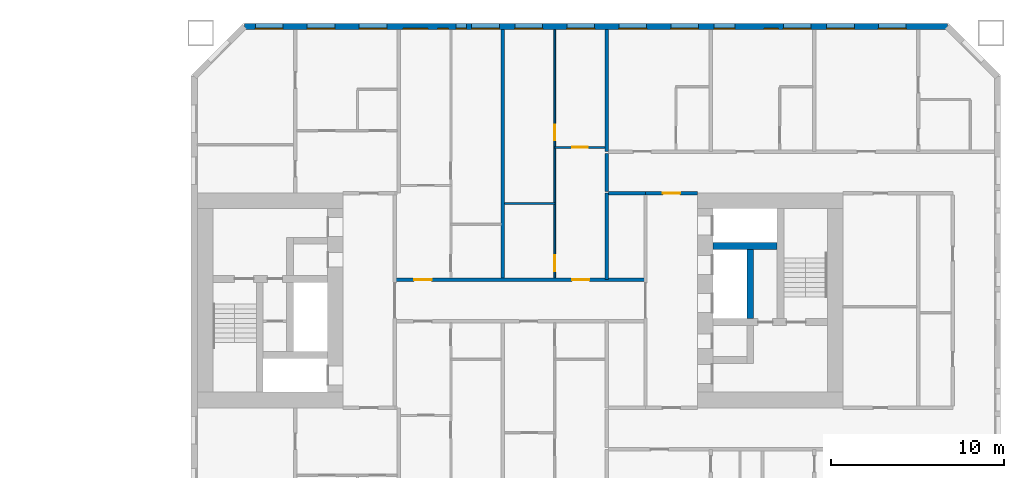
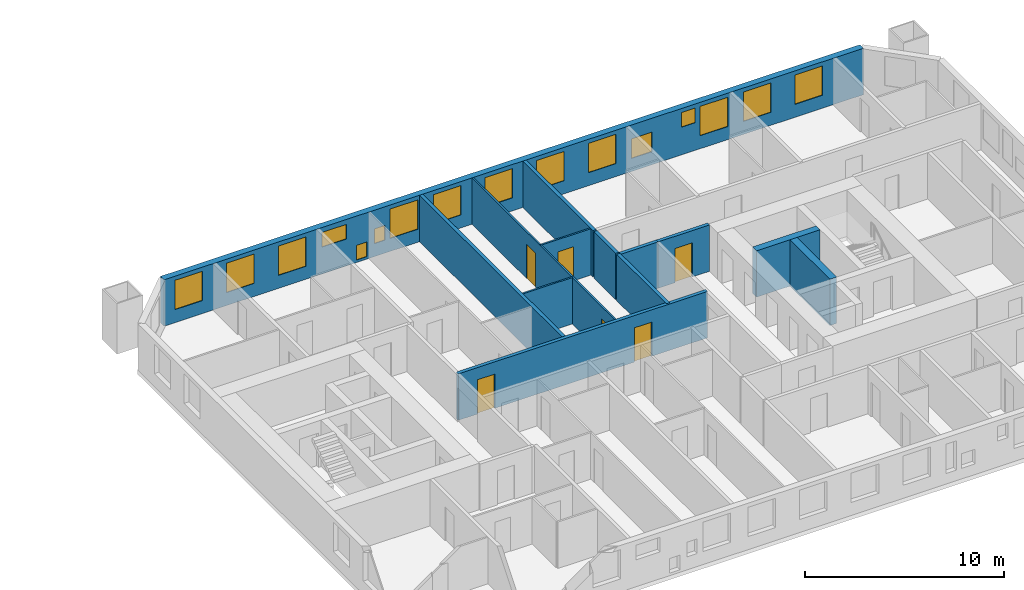
# One storey, part 14 of 17: 16 windows, 13 walls, 6 doors, 22 openings.
"""IFC4 building model written with IfcOpenShell, lengths in metres."""

from ifc_helpers import new_model, si_unit, direction, frame, frame_2d, origin, place, context, subcontext, project, spatial, rectangle, extrude, material, layer, layer_set, type_object, element, fill, save


model = new_model("IFC4")

# Units and contexts
model_context = context("Model", 3, precision=1e-05, world=origin(), true_north=direction((0.0, 1.0)))
body_context = subcontext(model_context, "Body", "Model", "MODEL_VIEW")
ifc_project = project(units=[si_unit("LENGTHUNIT", "METRE"), si_unit("AREAUNIT", "SQUARE_METRE"), si_unit("VOLUMEUNIT", "CUBIC_METRE"), si_unit("PLANEANGLEUNIT", "RADIAN"), si_unit("MASSUNIT", "GRAM", prefix="KILO")], contexts=[model_context])

# Site, building, storey
site_placement = place(None, origin())
site = spatial("IfcSite", under=ifc_project, at=site_placement, CompositionType="ELEMENT")
building_placement = place(site_placement, origin())
building = spatial("IfcBuilding", under=site, at=building_placement, Name="Tuart Gate Housing", CompositionType="ELEMENT")
storey_placement = place(building_placement, frame((0.0, 0.0, 28.800048828125)))
storey = spatial("IfcBuildingStorey", under=building, at=storey_placement, Name="L07", CompositionType="ELEMENT", Elevation=28.800048828125)

# Wall, openings, windows
ifc_material_1 = material(Name="Brick", Category="masonry")
ifc_layer_1 = layer(ifc_material_1, 0.360107421875)
ifc_layer_set_1 = layer_set([ifc_layer_1], Name="Brick pier and spandrel wall 360")
wall_type_1 = type_object("IfcWallType", Name="Brick pier and spandrel wall 360", PredefinedType="STANDARD", material=ifc_layer_set_1)
wall_1_placement = place(storey_placement, frame((174.67529296875, 85.820068359375, 0.0), z_axis=(0.0, 0.0, 1.0), x_axis=(-1.0, 0.0, 0.0)))
wall_1 = element("IfcWall", 1, at=wall_1_placement, inside=storey, type_object=wall_type_1, Name="External wall B-N L07", PredefinedType="STANDARD", context=body_context, shape_type="SweptSolid", body=[
    extrude(rectangle(XDim=40.600830078125, YDim=0.360107421875, at=frame_2d((20.30029296875, 0.0))), origin(), (0.0, 0.0, 1.0), 2.849853515625),
])
opening_1_placement = place(wall_1_placement, frame((2.37548828125, 0.0, 0.800048828125)))
opening_1 = element("IfcOpeningElement", 2, at=opening_1_placement, cuts=wall_1, Name="Opening W1", PredefinedType="OPENING", context=body_context, shape_type="SweptSolid", body=[
    extrude(rectangle(XDim=1.60009765625, YDim=1.800048828125, at=frame_2d((0.800048828125, 0.89990234375))), frame((0.0, 0.18994140625, 0.0), z_axis=(0.0, -1.0, 0.0), x_axis=(1.0, 0.0, 0.0)), (0.0, 0.0, 1.0), 0.380126953125),
])
opening_2_placement = place(wall_1_placement, frame((5.37548828125, 0.0, 0.800048828125)))
opening_2 = element("IfcOpeningElement", 3, at=opening_2_placement, cuts=wall_1, Name="Opening W1", PredefinedType="OPENING", context=body_context, shape_type="SweptSolid", body=[
    extrude(rectangle(XDim=1.60009765625, YDim=1.800048828125, at=frame_2d((0.800048828125, 0.89990234375))), frame((0.0, 0.18994140625, 0.0), z_axis=(0.0, -1.0, 0.0), x_axis=(1.0, 0.0, 0.0)), (0.0, 0.0, 1.0), 0.380126953125),
])
opening_3_placement = place(wall_1_placement, frame((7.87548828125, 0.0, 0.800048828125)))
opening_3 = element("IfcOpeningElement", 4, at=opening_3_placement, cuts=wall_1, Name="Opening W1", PredefinedType="OPENING", context=body_context, shape_type="SweptSolid", body=[
    extrude(rectangle(XDim=1.60009765625, YDim=1.800048828125, at=frame_2d((0.800048828125, 0.89990234375))), frame((0.0, 0.18994140625, 0.0), z_axis=(0.0, -1.0, 0.0), x_axis=(1.0, 0.0, 0.0)), (0.0, 0.0, 1.0), 0.380126953125),
])
opening_4_placement = place(wall_1_placement, frame((9.775390625, 0.0, 1.699951171875)))
opening_4 = element("IfcOpeningElement", 5, at=opening_4_placement, cuts=wall_1, Name="Opening W1V", PredefinedType="OPENING", context=body_context, shape_type="SweptSolid", body=[
    extrude(rectangle(XDim=0.800048828125, YDim=0.89990234375, at=frame_2d((0.39990234375, 0.449951171875))), frame((0.0, 0.18994140625, 0.0), z_axis=(0.0, -1.0, 0.0), x_axis=(1.0, 0.0, 0.0)), (0.0, 0.0, 1.0), 0.380126953125),
])
opening_5_placement = place(wall_1_placement, frame((14.37548828125, 0.0, 0.800048828125)))
opening_5 = element("IfcOpeningElement", 6, at=opening_5_placement, cuts=wall_1, Name="Opening W1", PredefinedType="OPENING", context=body_context, shape_type="SweptSolid", body=[
    extrude(rectangle(XDim=1.60009765625, YDim=1.800048828125, at=frame_2d((0.800048828125, 0.89990234375))), frame((0.0, 0.18994140625, 0.0), z_axis=(0.0, -1.0, 0.0), x_axis=(1.0, 0.0, 0.0)), (0.0, 0.0, 1.0), 0.380126953125),
])
opening_6_placement = place(wall_1_placement, frame((17.37548828125, 0.0, 0.800048828125)))
opening_6 = element("IfcOpeningElement", 7, at=opening_6_placement, cuts=wall_1, Name="Opening W1", PredefinedType="OPENING", context=body_context, shape_type="SweptSolid", body=[
    extrude(rectangle(XDim=1.60009765625, YDim=1.800048828125, at=frame_2d((0.800048828125, 0.89990234375))), frame((0.0, 0.18994140625, 0.0), z_axis=(0.0, -1.0, 0.0), x_axis=(1.0, 0.0, 0.0)), (0.0, 0.0, 1.0), 0.380126953125),
])
opening_7_placement = place(wall_1_placement, frame((20.37548828125, 0.0, 0.800048828125)))
opening_7 = element("IfcOpeningElement", 8, at=opening_7_placement, cuts=wall_1, Name="Opening W1", PredefinedType="OPENING", context=body_context, shape_type="SweptSolid", body=[
    extrude(rectangle(XDim=1.60009765625, YDim=1.800048828125, at=frame_2d((0.800048828125, 0.89990234375))), frame((0.0, 0.18994140625, 0.0), z_axis=(0.0, -1.0, 0.0), x_axis=(1.0, 0.0, 0.0)), (0.0, 0.0, 1.0), 0.380126953125),
])
opening_8_placement = place(wall_1_placement, frame((23.37548828125, 0.0, 0.800048828125)))
opening_8 = element("IfcOpeningElement", 9, at=opening_8_placement, cuts=wall_1, Name="Opening W1", PredefinedType="OPENING", context=body_context, shape_type="SweptSolid", body=[
    extrude(rectangle(XDim=1.60009765625, YDim=1.800048828125, at=frame_2d((0.800048828125, 0.89990234375))), frame((0.0, 0.18994140625, 0.0), z_axis=(0.0, -1.0, 0.0), x_axis=(1.0, 0.0, 0.0)), (0.0, 0.0, 1.0), 0.380126953125),
])
opening_9_placement = place(wall_1_placement, frame((25.87548828125, 0.0, 0.800048828125)))
opening_9 = element("IfcOpeningElement", 10, at=opening_9_placement, cuts=wall_1, Name="Opening W1", PredefinedType="OPENING", context=body_context, shape_type="SweptSolid", body=[
    extrude(rectangle(XDim=1.60009765625, YDim=1.800048828125, at=frame_2d((0.800048828125, 0.89990234375))), frame((0.0, 0.18994140625, 0.0), z_axis=(0.0, -1.0, 0.0), x_axis=(1.0, 0.0, 0.0)), (0.0, 0.0, 1.0), 0.380126953125),
])
opening_10_placement = place(wall_1_placement, frame((28.825439453125, 0.0, 0.14990234375)))
opening_10 = element("IfcOpeningElement", 11, at=opening_10_placement, cuts=wall_1, Name="Opening W1W", PredefinedType="OPENING", context=body_context, shape_type="SweptSolid", body=[
    extrude(rectangle(XDim=0.60009765625, YDim=0.89990234375, at=frame_2d((0.300048828125, 0.449951171875))), frame((0.0, 0.18994140625, 0.0), z_axis=(0.0, -1.0, 0.0), x_axis=(1.0, 0.0, 0.0)), (0.0, 0.0, 1.0), 0.380126953125),
])
opening_11_placement = place(wall_1_placement, frame((32.37548828125, 0.0, 0.800048828125)))
opening_11 = element("IfcOpeningElement", 12, at=opening_11_placement, cuts=wall_1, Name="Opening W1", PredefinedType="OPENING", context=body_context, shape_type="SweptSolid", body=[
    extrude(rectangle(XDim=1.60009765625, YDim=1.800048828125, at=frame_2d((0.800048828125, 0.89990234375))), frame((0.0, 0.18994140625, 0.0), z_axis=(0.0, -1.0, 0.0), x_axis=(1.0, 0.0, 0.0)), (0.0, 0.0, 1.0), 0.380126953125),
])
opening_12_placement = place(wall_1_placement, frame((35.37548828125, 0.0, 0.800048828125)))
opening_12 = element("IfcOpeningElement", 13, at=opening_12_placement, cuts=wall_1, Name="Opening W1", PredefinedType="OPENING", context=body_context, shape_type="SweptSolid", body=[
    extrude(rectangle(XDim=1.60009765625, YDim=1.800048828125, at=frame_2d((0.800048828125, 0.89990234375))), frame((0.0, 0.18994140625, 0.0), z_axis=(0.0, -1.0, 0.0), x_axis=(1.0, 0.0, 0.0)), (0.0, 0.0, 1.0), 0.380126953125),
])
opening_13_placement = place(wall_1_placement, frame((38.37548828125, 0.0, 0.800048828125)))
opening_13 = element("IfcOpeningElement", 14, at=opening_13_placement, cuts=wall_1, Name="Opening W1", PredefinedType="OPENING", context=body_context, shape_type="SweptSolid", body=[
    extrude(rectangle(XDim=1.60009765625, YDim=1.800048828125, at=frame_2d((0.800048828125, 0.89990234375))), frame((0.0, 0.18994140625, 0.0), z_axis=(0.0, -1.0, 0.0), x_axis=(1.0, 0.0, 0.0)), (0.0, 0.0, 1.0), 0.380126953125),
])
opening_14_placement = place(wall_1_placement, frame((12.275390625, 0.0, 0.800048828125)))
opening_14 = element("IfcOpeningElement", 15, at=opening_14_placement, cuts=wall_1, Name="Opening W1N", PredefinedType="OPENING", context=body_context, shape_type="SweptSolid", body=[
    extrude(rectangle(XDim=1.199951171875, YDim=1.199951171875, at=frame_2d((0.60009765625, 0.60009765625))), frame((0.0, 0.18994140625, 0.0), z_axis=(0.0, -1.0, 0.0), x_axis=(1.0, 0.0, 0.0)), (0.0, 0.0, 1.0), 0.380126953125),
])
opening_15_placement = place(wall_1_placement, frame((27.775390625, 0.0, 0.800048828125)))
opening_15 = element("IfcOpeningElement", 16, at=opening_15_placement, cuts=wall_1, Name="Opening W1W", PredefinedType="OPENING", context=body_context, shape_type="SweptSolid", body=[
    extrude(rectangle(XDim=0.60009765625, YDim=0.89990234375, at=frame_2d((0.300048828125, 0.449951171875))), frame((0.0, 0.18994140625, 0.0), z_axis=(0.0, -1.0, 0.0), x_axis=(1.0, 0.0, 0.0)), (0.0, 0.0, 1.0), 0.380126953125),
])
opening_16_placement = place(wall_1_placement, frame((30.025390625, 0.0, 1.64990234375)))
opening_16 = element("IfcOpeningElement", 17, at=opening_16_placement, cuts=wall_1, Name="Opening W1S", PredefinedType="OPENING", context=body_context, shape_type="SweptSolid", body=[
    extrude(rectangle(XDim=1.39990234375, YDim=0.89990234375, at=frame_2d((0.699951171875, 0.449951171875))), frame((0.0, 0.18994140625, 0.0), z_axis=(0.0, -1.0, 0.0), x_axis=(1.0, 0.0, 0.0)), (0.0, 0.0, 1.0), 0.380126953125),
])
ifc_material_2 = material(Name="Aluminium frame with clear glass", Category="aluminium")
window_type_1 = type_object("IfcWindowType", Name="Punched window 1200 x 1200", PartitioningType="SINGLE_PANEL", PredefinedType="WINDOW", material=ifc_material_2)
window_1_placement = place(opening_14_placement, origin())
window_1 = element("IfcWindow", 18, at=window_1_placement, inside=storey, type_object=window_type_1, Name="Window W1N", OverallHeight=1.199951171875, OverallWidth=1.199951171875, PartitioningType="SINGLE_PANEL", PredefinedType="WINDOW", context=body_context, shape_type="SweptSolid", body=[
    extrude(rectangle(XDim=1.199951171875, YDim=1.199951171875, at=frame_2d((0.60009765625, 0.60009765625))), frame((0.0, 0.150146484375, 0.0), z_axis=(0.0, -1.0, 0.0), x_axis=(1.0, 0.0, 0.0)), (0.0, 0.0, 1.0), 0.06005859375),
])
fill(opening_14, window_1)
ifc_material_3 = material(Name="Aluminium frame with clear glass", Category="aluminium")
window_type_2 = type_object("IfcWindowType", Name="Punched window 1400 x 900", PartitioningType="SINGLE_PANEL", PredefinedType="WINDOW", material=ifc_material_3)
window_2_placement = place(opening_16_placement, origin())
window_2 = element("IfcWindow", 19, at=window_2_placement, inside=storey, type_object=window_type_2, Name="Window W1S", OverallHeight=0.89990234375, OverallWidth=1.39990234375, PartitioningType="SINGLE_PANEL", PredefinedType="WINDOW", context=body_context, shape_type="SweptSolid", body=[
    extrude(rectangle(XDim=1.39990234375, YDim=0.89990234375, at=frame_2d((0.699951171875, 0.449951171875))), frame((0.0, 0.150146484375, 0.0), z_axis=(0.0, -1.0, 0.0), x_axis=(1.0, 0.0, 0.0)), (0.0, 0.0, 1.0), 0.06005859375),
])
fill(opening_16, window_2)
ifc_material_4 = material(Name="Aluminium frame with clear glass", Category="aluminium")
window_type_3 = type_object("IfcWindowType", Name="Punched window 1600 x 1800", PartitioningType="SINGLE_PANEL", PredefinedType="WINDOW", material=ifc_material_4)
window_3_placement = place(opening_1_placement, origin())
window_3 = element("IfcWindow", 20, at=window_3_placement, inside=storey, type_object=window_type_3, Name="Window W1", OverallHeight=1.800048828125, OverallWidth=1.60009765625, PartitioningType="SINGLE_PANEL", PredefinedType="WINDOW", context=body_context, shape_type="SweptSolid", body=[
    extrude(rectangle(XDim=1.60009765625, YDim=1.800048828125, at=frame_2d((0.800048828125, 0.89990234375))), frame((0.0, 0.150146484375, 0.0), z_axis=(0.0, -1.0, 0.0), x_axis=(1.0, 0.0, 0.0)), (0.0, 0.0, 1.0), 0.06005859375),
])
fill(opening_1, window_3)
window_4_placement = place(opening_2_placement, origin())
window_4 = element("IfcWindow", 21, at=window_4_placement, inside=storey, type_object=window_type_3, Name="Window W1", OverallHeight=1.800048828125, OverallWidth=1.60009765625, PartitioningType="SINGLE_PANEL", PredefinedType="WINDOW", context=body_context, shape_type="SweptSolid", body=[
    extrude(rectangle(XDim=1.60009765625, YDim=1.800048828125, at=frame_2d((0.800048828125, 0.89990234375))), frame((0.0, 0.150146484375, 0.0), z_axis=(0.0, -1.0, 0.0), x_axis=(1.0, 0.0, 0.0)), (0.0, 0.0, 1.0), 0.06005859375),
])
fill(opening_2, window_4)
window_5_placement = place(opening_3_placement, origin())
window_5 = element("IfcWindow", 22, at=window_5_placement, inside=storey, type_object=window_type_3, Name="Window W1", OverallHeight=1.800048828125, OverallWidth=1.60009765625, PartitioningType="SINGLE_PANEL", PredefinedType="WINDOW", context=body_context, shape_type="SweptSolid", body=[
    extrude(rectangle(XDim=1.60009765625, YDim=1.800048828125, at=frame_2d((0.800048828125, 0.89990234375))), frame((0.0, 0.150146484375, 0.0), z_axis=(0.0, -1.0, 0.0), x_axis=(1.0, 0.0, 0.0)), (0.0, 0.0, 1.0), 0.06005859375),
])
fill(opening_3, window_5)
window_6_placement = place(opening_5_placement, origin())
window_6 = element("IfcWindow", 23, at=window_6_placement, inside=storey, type_object=window_type_3, Name="Window W1", OverallHeight=1.800048828125, OverallWidth=1.60009765625, PartitioningType="SINGLE_PANEL", PredefinedType="WINDOW", context=body_context, shape_type="SweptSolid", body=[
    extrude(rectangle(XDim=1.60009765625, YDim=1.800048828125, at=frame_2d((0.800048828125, 0.89990234375))), frame((0.0, 0.150146484375, 0.0), z_axis=(0.0, -1.0, 0.0), x_axis=(1.0, 0.0, 0.0)), (0.0, 0.0, 1.0), 0.06005859375),
])
fill(opening_5, window_6)
window_7_placement = place(opening_6_placement, origin())
window_7 = element("IfcWindow", 24, at=window_7_placement, inside=storey, type_object=window_type_3, Name="Window W1", OverallHeight=1.800048828125, OverallWidth=1.60009765625, PartitioningType="SINGLE_PANEL", PredefinedType="WINDOW", context=body_context, shape_type="SweptSolid", body=[
    extrude(rectangle(XDim=1.60009765625, YDim=1.800048828125, at=frame_2d((0.800048828125, 0.89990234375))), frame((0.0, 0.150146484375, 0.0), z_axis=(0.0, -1.0, 0.0), x_axis=(1.0, 0.0, 0.0)), (0.0, 0.0, 1.0), 0.06005859375),
])
fill(opening_6, window_7)
window_8_placement = place(opening_7_placement, origin())
window_8 = element("IfcWindow", 25, at=window_8_placement, inside=storey, type_object=window_type_3, Name="Window W1", OverallHeight=1.800048828125, OverallWidth=1.60009765625, PartitioningType="SINGLE_PANEL", PredefinedType="WINDOW", context=body_context, shape_type="SweptSolid", body=[
    extrude(rectangle(XDim=1.60009765625, YDim=1.800048828125, at=frame_2d((0.800048828125, 0.89990234375))), frame((0.0, 0.150146484375, 0.0), z_axis=(0.0, -1.0, 0.0), x_axis=(1.0, 0.0, 0.0)), (0.0, 0.0, 1.0), 0.06005859375),
])
fill(opening_7, window_8)
window_9_placement = place(opening_8_placement, origin())
window_9 = element("IfcWindow", 26, at=window_9_placement, inside=storey, type_object=window_type_3, Name="Window W1", OverallHeight=1.800048828125, OverallWidth=1.60009765625, PartitioningType="SINGLE_PANEL", PredefinedType="WINDOW", context=body_context, shape_type="SweptSolid", body=[
    extrude(rectangle(XDim=1.60009765625, YDim=1.800048828125, at=frame_2d((0.800048828125, 0.89990234375))), frame((0.0, 0.150146484375, 0.0), z_axis=(0.0, -1.0, 0.0), x_axis=(1.0, 0.0, 0.0)), (0.0, 0.0, 1.0), 0.06005859375),
])
fill(opening_8, window_9)
window_10_placement = place(opening_9_placement, origin())
window_10 = element("IfcWindow", 27, at=window_10_placement, inside=storey, type_object=window_type_3, Name="Window W1", OverallHeight=1.800048828125, OverallWidth=1.60009765625, PartitioningType="SINGLE_PANEL", PredefinedType="WINDOW", context=body_context, shape_type="SweptSolid", body=[
    extrude(rectangle(XDim=1.60009765625, YDim=1.800048828125, at=frame_2d((0.800048828125, 0.89990234375))), frame((0.0, 0.150146484375, 0.0), z_axis=(0.0, -1.0, 0.0), x_axis=(1.0, 0.0, 0.0)), (0.0, 0.0, 1.0), 0.06005859375),
])
fill(opening_9, window_10)
window_11_placement = place(opening_11_placement, origin())
window_11 = element("IfcWindow", 28, at=window_11_placement, inside=storey, type_object=window_type_3, Name="Window W1", OverallHeight=1.800048828125, OverallWidth=1.60009765625, PartitioningType="SINGLE_PANEL", PredefinedType="WINDOW", context=body_context, shape_type="SweptSolid", body=[
    extrude(rectangle(XDim=1.60009765625, YDim=1.800048828125, at=frame_2d((0.800048828125, 0.89990234375))), frame((0.0, 0.150146484375, 0.0), z_axis=(0.0, -1.0, 0.0), x_axis=(1.0, 0.0, 0.0)), (0.0, 0.0, 1.0), 0.06005859375),
])
fill(opening_11, window_11)
window_12_placement = place(opening_12_placement, origin())
window_12 = element("IfcWindow", 29, at=window_12_placement, inside=storey, type_object=window_type_3, Name="Window W1", OverallHeight=1.800048828125, OverallWidth=1.60009765625, PartitioningType="SINGLE_PANEL", PredefinedType="WINDOW", context=body_context, shape_type="SweptSolid", body=[
    extrude(rectangle(XDim=1.60009765625, YDim=1.800048828125, at=frame_2d((0.800048828125, 0.89990234375))), frame((0.0, 0.150146484375, 0.0), z_axis=(0.0, -1.0, 0.0), x_axis=(1.0, 0.0, 0.0)), (0.0, 0.0, 1.0), 0.06005859375),
])
fill(opening_12, window_12)
window_13_placement = place(opening_13_placement, origin())
window_13 = element("IfcWindow", 30, at=window_13_placement, inside=storey, type_object=window_type_3, Name="Window W1", OverallHeight=1.800048828125, OverallWidth=1.60009765625, PartitioningType="SINGLE_PANEL", PredefinedType="WINDOW", context=body_context, shape_type="SweptSolid", body=[
    extrude(rectangle(XDim=1.60009765625, YDim=1.800048828125, at=frame_2d((0.800048828125, 0.89990234375))), frame((0.0, 0.150146484375, 0.0), z_axis=(0.0, -1.0, 0.0), x_axis=(1.0, 0.0, 0.0)), (0.0, 0.0, 1.0), 0.06005859375),
])
fill(opening_13, window_13)
ifc_material_5 = material(Name="Aluminium frame with clear glass", Category="aluminium")
window_type_4 = type_object("IfcWindowType", Name="Punched window 600 x 900", PartitioningType="SINGLE_PANEL", PredefinedType="WINDOW", material=ifc_material_5)
window_14_placement = place(opening_10_placement, origin())
window_14 = element("IfcWindow", 31, at=window_14_placement, inside=storey, type_object=window_type_4, Name="Window W1W", OverallHeight=0.89990234375, OverallWidth=0.60009765625, PartitioningType="SINGLE_PANEL", PredefinedType="WINDOW", context=body_context, shape_type="SweptSolid", body=[
    extrude(rectangle(XDim=0.60009765625, YDim=0.89990234375, at=frame_2d((0.300048828125, 0.449951171875))), frame((0.0, 0.150146484375, 0.0), z_axis=(0.0, -1.0, 0.0), x_axis=(1.0, 0.0, 0.0)), (0.0, 0.0, 1.0), 0.06005859375),
])
fill(opening_10, window_14)
window_15_placement = place(opening_15_placement, origin())
window_15 = element("IfcWindow", 32, at=window_15_placement, inside=storey, type_object=window_type_4, Name="Window W1W", OverallHeight=0.89990234375, OverallWidth=0.60009765625, PartitioningType="SINGLE_PANEL", PredefinedType="WINDOW", context=body_context, shape_type="SweptSolid", body=[
    extrude(rectangle(XDim=0.60009765625, YDim=0.89990234375, at=frame_2d((0.300048828125, 0.449951171875))), frame((0.0, 0.150146484375, 0.0), z_axis=(0.0, -1.0, 0.0), x_axis=(1.0, 0.0, 0.0)), (0.0, 0.0, 1.0), 0.06005859375),
])
fill(opening_15, window_15)
ifc_material_6 = material(Name="Aluminium frame with clear glass", Category="aluminium")
window_type_5 = type_object("IfcWindowType", Name="Punched window 800 x 900", PartitioningType="SINGLE_PANEL", PredefinedType="WINDOW", material=ifc_material_6)
window_16_placement = place(opening_4_placement, origin())
window_16 = element("IfcWindow", 33, at=window_16_placement, inside=storey, type_object=window_type_5, Name="Window W1V", OverallHeight=0.89990234375, OverallWidth=0.800048828125, PartitioningType="SINGLE_PANEL", PredefinedType="WINDOW", context=body_context, shape_type="SweptSolid", body=[
    extrude(rectangle(XDim=0.800048828125, YDim=0.89990234375, at=frame_2d((0.39990234375, 0.449951171875))), frame((0.0, 0.150146484375, 0.0), z_axis=(0.0, -1.0, 0.0), x_axis=(1.0, 0.0, 0.0)), (0.0, 0.0, 1.0), 0.06005859375),
])
fill(opening_4, window_16)

# Walls
ifc_material_7 = material(Name="Concrete C60", Category="concrete")
ifc_layer_2 = layer(ifc_material_7, 0.39990234375)
ifc_layer_set_2 = layer_set([ifc_layer_2], Name="Core wall 400 C60")
wall_type_2 = type_object("IfcWallType", Name="Core wall 400 C60", PredefinedType="SHEAR", material=ifc_layer_set_2)
wall_2_placement = place(storey_placement, frame((161.139892578125, 73.14990234375, 0.0), z_axis=(0.0, 0.0, 1.0), x_axis=(1.0, 0.0, 0.0)))
element("IfcWall", 34, at=wall_2_placement, inside=storey, type_object=wall_type_2, Name="Core wall BK.1", PredefinedType="SHEAR", context=body_context, shape_type="SweptSolid", body=[
    extrude(rectangle(XDim=3.7001953125, YDim=0.39990234375, at=frame_2d((1.85009765625, 0.0))), origin(), (0.0, 0.0, 1.0), 2.849853515625),
])
wall_3_placement = place(storey_placement, frame((163.2900390625, 72.949951171875, 0.0), z_axis=(0.0, 0.0, 1.0), x_axis=(0.0, -1.0, 0.0)))
element("IfcWall", 35, at=wall_3_placement, inside=storey, type_object=wall_type_2, Name="Core wall BK.4", PredefinedType="SHEAR", context=body_context, shape_type="SweptSolid", body=[
    extrude(rectangle(XDim=4.0, YDim=0.39990234375, at=frame_2d((2.0, 0.0))), origin(), (0.0, 0.0, 1.0), 2.849853515625),
])

# Wall, openings, doors
ifc_material_8 = material(Name="Concrete masonry 15 MPa", Category="masonry")
ifc_layer_3 = layer(ifc_material_8, 0.199951171875)
ifc_layer_set_3 = layer_set([ifc_layer_3], Name="Corridor wall masonry 200")
wall_type_3 = type_object("IfcWallType", Name="Corridor wall masonry 200", PredefinedType="PARTITIONING", material=ifc_layer_set_3)
wall_4_placement = place(storey_placement, frame((142.760009765625, 71.199951171875, 0.0), z_axis=(0.0, 0.0, 1.0), x_axis=(1.0, 0.0, 0.0)))
wall_4 = element("IfcWall", 36, at=wall_4_placement, inside=storey, type_object=wall_type_3, Name="Corridor wall masonry 200", PredefinedType="PARTITIONING", context=body_context, shape_type="SweptSolid", body=[
    extrude(rectangle(XDim=14.47998046875, YDim=0.199951171875, at=frame_2d((7.239990234375, 0.0))), origin(), (0.0, 0.0, 1.0), 2.849853515625),
])
opening_17_placement = place(wall_4_placement, frame((1.1201171875, 0.0, 0.0)))
opening_17 = element("IfcOpeningElement", 37, at=opening_17_placement, cuts=wall_4, Name="Opening D554", PredefinedType="OPENING", context=body_context, shape_type="SweptSolid", body=[
    extrude(rectangle(XDim=1.0, YDim=2.10009765625, at=frame_2d((0.5, 1.050048828125))), frame((0.0, 0.10986328125, 0.0), z_axis=(0.0, -1.0, 0.0), x_axis=(1.0, 0.0, 0.0)), (0.0, 0.0, 1.0), 0.219970703125),
])
opening_18_placement = place(wall_4_placement, frame((10.239990234375, 0.0, 0.0)))
opening_18 = element("IfcOpeningElement", 38, at=opening_18_placement, cuts=wall_4, Name="Opening D555", PredefinedType="OPENING", context=body_context, shape_type="SweptSolid", body=[
    extrude(rectangle(XDim=1.0, YDim=2.10009765625, at=frame_2d((0.5, 1.050048828125))), frame((0.0, 0.10986328125, 0.0), z_axis=(0.0, -1.0, 0.0), x_axis=(1.0, 0.0, 0.0)), (0.0, 0.0, 1.0), 0.219970703125),
])
ifc_material_9 = material(Name="Timber door leaf in steel frame", Category="steel")
door_type_1 = type_object("IfcDoorType", Name="Flat entrance door 1000", OperationType="SINGLE_SWING_LEFT", PredefinedType="DOOR", material=ifc_material_9)
door_1_placement = place(opening_17_placement, origin())
door_1 = element("IfcDoor", 39, at=door_1_placement, inside=storey, type_object=door_type_1, Name="Flat entrance door", OperationType="SINGLE_SWING_LEFT", OverallHeight=2.10009765625, OverallWidth=1.0, PredefinedType="DOOR", context=body_context, shape_type="SweptSolid", body=[
    extrude(rectangle(XDim=1.0, YDim=2.10009765625, at=frame_2d((0.5, 1.050048828125))), frame((0.0, 0.02490234375, 0.0), z_axis=(0.0, -1.0, 0.0), x_axis=(1.0, 0.0, 0.0)), (0.0, 0.0, 1.0), 0.050048828125),
])
fill(opening_17, door_1)
door_2_placement = place(opening_18_placement, origin())
door_2 = element("IfcDoor", 40, at=door_2_placement, inside=storey, type_object=door_type_1, Name="Flat entrance door", OperationType="SINGLE_SWING_LEFT", OverallHeight=2.10009765625, OverallWidth=1.0, PredefinedType="DOOR", context=body_context, shape_type="SweptSolid", body=[
    extrude(rectangle(XDim=1.0, YDim=2.10009765625, at=frame_2d((0.5, 1.050048828125))), frame((0.0, 0.02490234375, 0.0), z_axis=(0.0, -1.0, 0.0), x_axis=(1.0, 0.0, 0.0)), (0.0, 0.0, 1.0), 0.050048828125),
])
fill(opening_18, door_2)

# Walls
wall_5_placement = place(storey_placement, frame((155.10009765625, 76.199951171875, 0.0), z_axis=(0.0, 0.0, 1.0), x_axis=(1.0, 0.0, 0.0)))
element("IfcWall", 41, at=wall_5_placement, inside=storey, type_object=wall_type_3, Name="Corridor wall masonry 200", PredefinedType="PARTITIONING", context=body_context, shape_type="SweptSolid", body=[
    extrude(rectangle(XDim=2.139892578125, YDim=0.199951171875, at=frame_2d((1.06982421875, 0.0))), origin(), (0.0, 0.0, 1.0), 2.849853515625),
])
wall_6_placement = place(storey_placement, frame((155.0, 76.300048828125, 0.0), z_axis=(0.0, 0.0, 1.0), x_axis=(0.0, 1.0, 0.0)))
element("IfcWall", 42, at=wall_6_placement, inside=storey, type_object=wall_type_3, Name="Corridor wall masonry 200", PredefinedType="PARTITIONING", context=body_context, shape_type="SweptSolid", body=[
    extrude(rectangle(XDim=2.199951171875, YDim=0.199951171875, at=frame_2d((1.10009765625, 0.0))), origin(), (0.0, 0.0, 1.0), 2.849853515625),
])

# Wall, opening, door
ifc_material_10 = material(Name="Concrete masonry 15 MPa", Category="masonry")
ifc_layer_4 = layer(ifc_material_10, 0.199951171875)
ifc_layer_set_4 = layer_set([ifc_layer_4], Name="Enclosure wall masonry 200")
wall_type_4 = type_object("IfcWallType", Name="Enclosure wall masonry 200", PredefinedType="PARTITIONING", material=ifc_layer_set_4)
wall_7_placement = place(storey_placement, frame((157.239990234375, 76.199951171875, 0.0), z_axis=(0.0, 0.0, 1.0), x_axis=(1.0, 0.0, 0.0)))
wall_7 = element("IfcWall", 43, at=wall_7_placement, inside=storey, type_object=wall_type_4, Name="Enclosure wall masonry 200", PredefinedType="PARTITIONING", context=body_context, shape_type="SweptSolid", body=[
    extrude(rectangle(XDim=3.0, YDim=0.199951171875, at=frame_2d((1.5, 0.0))), origin(), (0.0, 0.0, 1.0), 2.849853515625),
])
opening_19_placement = place(wall_7_placement, frame((1.0, 0.0, 0.0)))
opening_19 = element("IfcOpeningElement", 44, at=opening_19_placement, cuts=wall_7, Name="Opening D550", PredefinedType="OPENING", context=body_context, shape_type="SweptSolid", body=[
    extrude(rectangle(XDim=1.0, YDim=2.10009765625, at=frame_2d((0.5, 1.050048828125))), frame((0.0, 0.10986328125, 0.0), z_axis=(0.0, -1.0, 0.0), x_axis=(1.0, 0.0, 0.0)), (0.0, 0.0, 1.0), 0.219970703125),
])
ifc_material_11 = material(Name="Timber door leaf in steel frame", Category="steel")
door_type_2 = type_object("IfcDoorType", Name="Fire door 1000", OperationType="SINGLE_SWING_LEFT", PredefinedType="DOOR", material=ifc_material_11)
door_3_placement = place(opening_19_placement, origin())
door_3 = element("IfcDoor", 45, at=door_3_placement, inside=storey, type_object=door_type_2, Name="Fire door", OperationType="SINGLE_SWING_LEFT", OverallHeight=2.10009765625, OverallWidth=1.0, PredefinedType="DOOR", context=body_context, shape_type="SweptSolid", body=[
    extrude(rectangle(XDim=1.0, YDim=2.10009765625, at=frame_2d((0.5, 1.050048828125))), frame((0.0, 0.02490234375, 0.0), z_axis=(0.0, -1.0, 0.0), x_axis=(1.0, 0.0, 0.0)), (0.0, 0.0, 1.0), 0.050048828125),
])
fill(opening_19, door_3)

# Wall
ifc_material_12 = material(Name="Gypsum board on steel studs", Category="steel")
ifc_layer_5 = layer(ifc_material_12, 0.10009765625)
ifc_layer_set_5 = layer_set([ifc_layer_5], Name="Partition 100")
wall_type_5 = type_object("IfcWallType", Name="Partition 100", PredefinedType="PARTITIONING", material=ifc_layer_set_5)
wall_8_placement = place(storey_placement, frame((149.10009765625, 75.60009765625, 0.0), z_axis=(0.0, 0.0, 1.0), x_axis=(1.0, 0.0, 0.0)))
element("IfcWall", 46, at=wall_8_placement, inside=storey, type_object=wall_type_5, Name="Partition 100", PredefinedType="PARTITIONING", context=body_context, shape_type="SweptSolid", body=[
    extrude(rectangle(XDim=2.89990234375, YDim=0.10009765625, at=frame_2d((1.449951171875, 0.0))), origin(), (0.0, 0.0, 1.0), 2.849853515625),
])

# Wall, opening, door
wall_9_placement = place(storey_placement, frame((152.0, 78.840087890625, 0.0), z_axis=(0.0, 0.0, 1.0), x_axis=(1.0, 0.0, 0.0)))
wall_9 = element("IfcWall", 47, at=wall_9_placement, inside=storey, type_object=wall_type_5, Name="Partition 100", PredefinedType="PARTITIONING", context=body_context, shape_type="SweptSolid", body=[
    extrude(rectangle(XDim=2.89990234375, YDim=0.10009765625, at=frame_2d((1.449951171875, 0.0))), origin(), (0.0, 0.0, 1.0), 2.849853515625),
])
opening_20_placement = place(wall_9_placement, frame((1.0, 0.0, 0.0)))
opening_20 = element("IfcOpeningElement", 48, at=opening_20_placement, cuts=wall_9, Name="Opening D540", PredefinedType="OPENING", context=body_context, shape_type="SweptSolid", body=[
    extrude(rectangle(XDim=0.89990234375, YDim=2.10009765625, at=frame_2d((0.449951171875, 1.050048828125))), frame((0.0, 0.06005859375, 0.0), z_axis=(0.0, -1.0, 0.0), x_axis=(1.0, 0.0, 0.0)), (0.0, 0.0, 1.0), 0.1201171875),
])
ifc_material_13 = material(Name="Timber door leaf in steel frame", Category="steel")
door_type_3 = type_object("IfcDoorType", Name="Internal door 900 RH", OperationType="SINGLE_SWING_RIGHT", PredefinedType="DOOR", material=ifc_material_13)
door_4_placement = place(opening_20_placement, frame((0.89990234375, 0.0, 0.0), z_axis=(0.0, 0.0, 1.0), x_axis=(-1.0, 0.0, 0.0)))
door_4 = element("IfcDoor", 49, at=door_4_placement, inside=storey, type_object=door_type_3, Name="Internal door", OperationType="SINGLE_SWING_RIGHT", OverallHeight=2.10009765625, OverallWidth=0.89990234375, PredefinedType="DOOR", context=body_context, shape_type="SweptSolid", body=[
    extrude(rectangle(XDim=0.89990234375, YDim=2.10009765625, at=frame_2d((0.449951171875, 1.050048828125))), frame((0.0, 0.025146484375, 0.0), z_axis=(0.0, -1.0, 0.0), x_axis=(1.0, 0.0, 0.0)), (0.0, 0.0, 1.0), 0.050048828125),
])
fill(opening_20, door_4)

# Wall, openings, doors
wall_10_placement = place(storey_placement, frame((152.0, 71.300048828125, 0.0), z_axis=(0.0, 0.0, 1.0), x_axis=(0.0, 1.0, 0.0)))
wall_10 = element("IfcWall", 50, at=wall_10_placement, inside=storey, type_object=wall_type_5, Name="Partition 100", PredefinedType="PARTITIONING", context=body_context, shape_type="SweptSolid", body=[
    extrude(rectangle(XDim=14.33984375, YDim=0.10009765625, at=frame_2d((7.169921875, 0.0))), origin(), (0.0, 0.0, 1.0), 2.849853515625),
])
opening_21_placement = place(wall_10_placement, frame((7.93994140625, 0.0, 0.0)))
opening_21 = element("IfcOpeningElement", 51, at=opening_21_placement, cuts=wall_10, Name="Opening D547", PredefinedType="OPENING", context=body_context, shape_type="SweptSolid", body=[
    extrude(rectangle(XDim=0.89990234375, YDim=2.10009765625, at=frame_2d((0.449951171875, 1.050048828125))), frame((0.0, 0.06005859375, 0.0), z_axis=(0.0, -1.0, 0.0), x_axis=(1.0, 0.0, 0.0)), (0.0, 0.0, 1.0), 0.1201171875),
])
opening_22_placement = place(wall_10_placement, frame((0.39990234375, 0.0, 0.0)))
opening_22 = element("IfcOpeningElement", 52, at=opening_22_placement, cuts=wall_10, Name="Opening D546", PredefinedType="OPENING", context=body_context, shape_type="SweptSolid", body=[
    extrude(rectangle(XDim=0.89990234375, YDim=2.10009765625, at=frame_2d((0.449951171875, 1.050048828125))), frame((0.0, 0.06005859375, 0.0), z_axis=(0.0, -1.0, 0.0), x_axis=(1.0, 0.0, 0.0)), (0.0, 0.0, 1.0), 0.1201171875),
])
ifc_material_14 = material(Name="Timber door leaf in steel frame", Category="steel")
door_type_4 = type_object("IfcDoorType", Name="Bathroom door 900", OperationType="SINGLE_SWING_LEFT", PredefinedType="DOOR", material=ifc_material_14)
door_5_placement = place(opening_22_placement, origin())
door_5 = element("IfcDoor", 53, at=door_5_placement, inside=storey, type_object=door_type_4, Name="Bathroom door", OperationType="SINGLE_SWING_LEFT", OverallHeight=2.10009765625, OverallWidth=0.89990234375, PredefinedType="DOOR", context=body_context, shape_type="SweptSolid", body=[
    extrude(rectangle(XDim=0.89990234375, YDim=2.10009765625, at=frame_2d((0.449951171875, 1.050048828125))), frame((0.0, 0.02490234375, 0.0), z_axis=(0.0, -1.0, 0.0), x_axis=(1.0, 0.0, 0.0)), (0.0, 0.0, 1.0), 0.050048828125),
])
fill(opening_22, door_5)
ifc_material_15 = material(Name="Timber door leaf in steel frame", Category="steel")
door_type_5 = type_object("IfcDoorType", Name="Internal door 900", OperationType="SINGLE_SWING_LEFT", PredefinedType="DOOR", material=ifc_material_15)
door_6_placement = place(opening_21_placement, origin())
door_6 = element("IfcDoor", 54, at=door_6_placement, inside=storey, type_object=door_type_5, Name="Internal door", OperationType="SINGLE_SWING_LEFT", OverallHeight=2.10009765625, OverallWidth=0.89990234375, PredefinedType="DOOR", context=body_context, shape_type="SweptSolid", body=[
    extrude(rectangle(XDim=0.89990234375, YDim=2.10009765625, at=frame_2d((0.449951171875, 1.050048828125))), frame((0.0, 0.02490234375, 0.0), z_axis=(0.0, -1.0, 0.0), x_axis=(1.0, 0.0, 0.0)), (0.0, 0.0, 1.0), 0.050048828125),
])
fill(opening_21, door_6)

# Walls
ifc_material_16 = material(Name="Concrete C40", Category="concrete")
ifc_layer_6 = layer(ifc_material_16, 0.199951171875)
ifc_layer_set_6 = layer_set([ifc_layer_6], Name="Party wall concrete C40 200")
wall_type_6 = type_object("IfcWallType", Name="Party wall concrete C40 200", PredefinedType="SOLIDWALL", material=ifc_layer_set_6)
wall_11_placement = place(storey_placement, frame((149.0, 71.199951171875, 0.0), z_axis=(0.0, 0.0, 1.0), x_axis=(0.0, 1.0, 0.0)))
element("IfcWall", 55, at=wall_11_placement, inside=storey, type_object=wall_type_6, Name="Party wall concrete C40 200", PredefinedType="SOLIDWALL", context=body_context, shape_type="SweptSolid", body=[
    extrude(rectangle(XDim=14.43994140625, YDim=0.199951171875, at=frame_2d((7.219970703125, 0.0))), origin(), (0.0, 0.0, 1.0), 2.849853515625),
])
wall_12_placement = place(storey_placement, frame((155.0, 71.199951171875, 0.0), z_axis=(0.0, 0.0, 1.0), x_axis=(0.0, 1.0, 0.0)))
element("IfcWall", 56, at=wall_12_placement, inside=storey, type_object=wall_type_6, Name="Party wall concrete C40 200", PredefinedType="SOLIDWALL", context=body_context, shape_type="SweptSolid", body=[
    extrude(rectangle(XDim=5.0, YDim=0.199951171875, at=frame_2d((2.5, 0.0))), origin(), (0.0, 0.0, 1.0), 2.849853515625),
])
wall_13_placement = place(storey_placement, frame((155.0, 78.60009765625, 0.0), z_axis=(0.0, 0.0, 1.0), x_axis=(0.0, 1.0, 0.0)))
element("IfcWall", 57, at=wall_13_placement, inside=storey, type_object=wall_type_6, Name="Party wall concrete C40 200", PredefinedType="SOLIDWALL", context=body_context, shape_type="SweptSolid", body=[
    extrude(rectangle(XDim=7.039794921875, YDim=0.199951171875, at=frame_2d((3.52001953125, 0.0))), origin(), (0.0, 0.0, 1.0), 2.849853515625),
])

save(model, "model.ifc")
